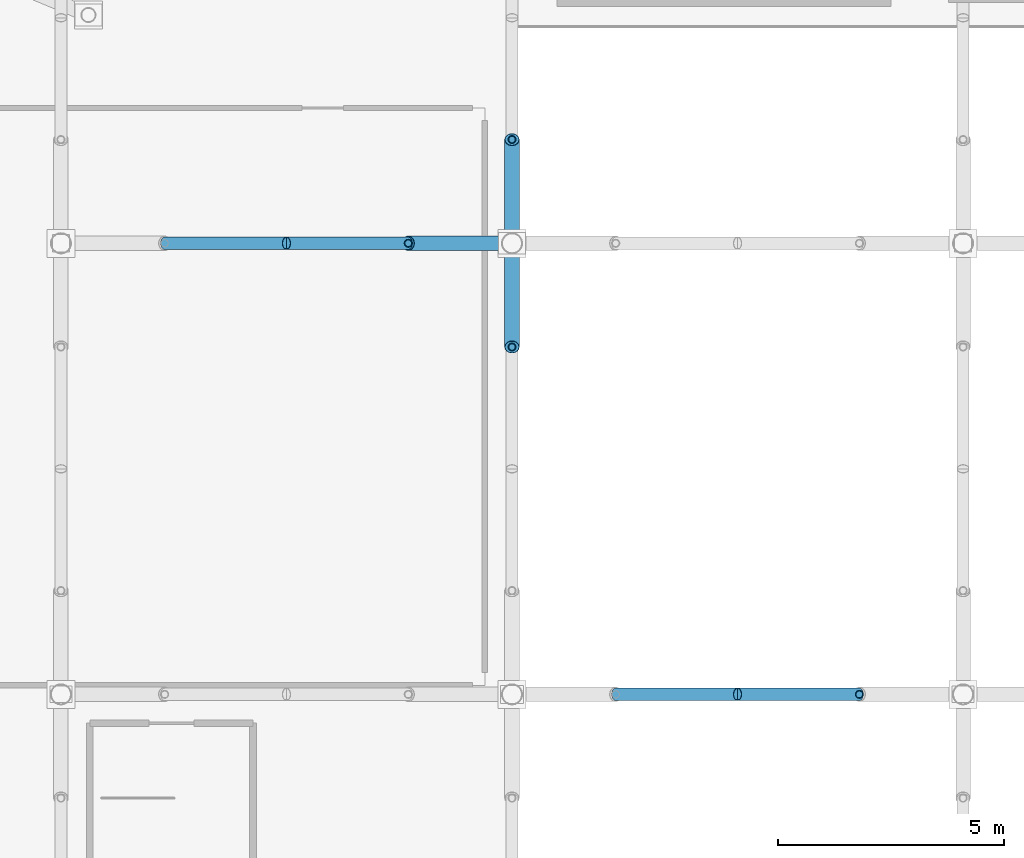
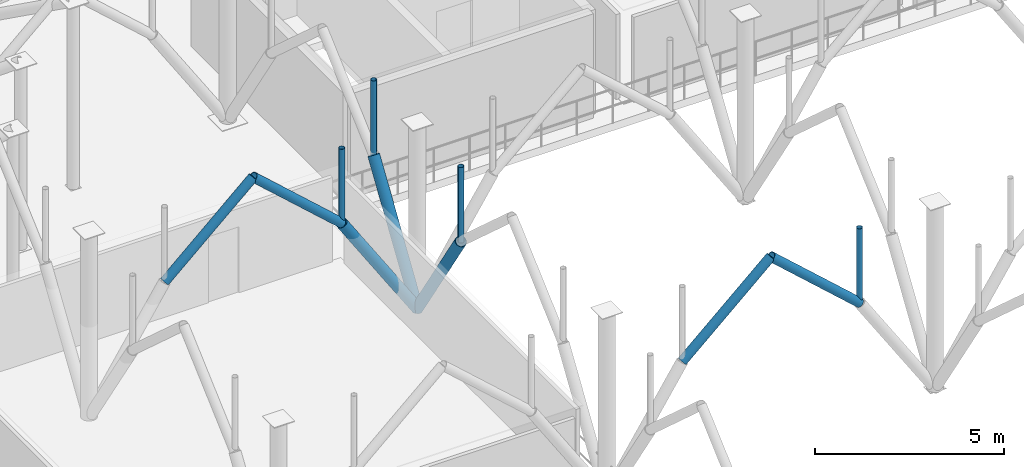
# One storey, part 47 of 109: 11 members.
"""IFC4 building model written with IfcOpenShell, lengths in metres."""

from ifc_helpers import new_model, si_unit, derived_unit, direction, frame, origin, origin_2d_with_axis, place, context, subcontext, project, spatial, hollow_circle, extrude, material, material_profile, profile_set, type_object, element, save


model = new_model("IFC4")

# Units and contexts
model_context = context("Model", 3, precision=1e-05, world=origin(), true_north=direction((0.0, 1.0)))
body_context = subcontext(model_context, "Body", "Model", "MODEL_VIEW")
ifc_project = project(units=[si_unit("LENGTHUNIT", "METRE"), si_unit("AREAUNIT", "SQUARE_METRE"), si_unit("VOLUMEUNIT", "CUBIC_METRE"), si_unit("PLANEANGLEUNIT", "RADIAN"), si_unit("MASSUNIT", "GRAM", prefix="KILO"), derived_unit("THERMALTRANSMITTANCEUNIT", [(si_unit("POWERUNIT", "WATT"), 1), (si_unit("LENGTHUNIT", "METRE"), -2), (si_unit("THERMODYNAMICTEMPERATUREUNIT", "KELVIN"), -1)])], contexts=[model_context])

# Site, building, storey
site_placement = place(None, origin())
site = spatial("IfcSite", under=ifc_project, at=site_placement, CompositionType="ELEMENT")
building_placement = place(site_placement, origin())
building = spatial("IfcBuilding", under=site, at=building_placement, Name="Cinnabar Yard Market Hall", CompositionType="ELEMENT")
storey_placement = place(building_placement, frame((0.0, 0.0, 8.39990234375)))
storey = spatial("IfcBuildingStorey", under=building, at=storey_placement, Name="L02", CompositionType="ELEMENT", Elevation=8.39990234375)

# Members
ifc_material_1 = material(Name="Spotted-gum glulam-clad steel Grade 350 (350 MPa)", Category="steel")
ifc_material_profile_1 = material_profile(ifc_material_1, hollow_circle(Radius=0.136474609375, WallThickness=0.00927734375, at=origin_2d_with_axis()), Name="273.1x9.3CHS")
ifc_profile_set_1 = profile_set([ifc_material_profile_1], Name="Spotted-gum glulam-clad steel Grade 350 (350 MPa)")
member_type_1 = type_object("IfcMemberType", Name="MB-AR01", PredefinedType="USERDEFINED", material=ifc_profile_set_1)
for number, where, z_axis, x_axis, name in (
    (1, (78.300048828125, 54.0, 3.550048828125), (0.743297488271, 0.0, 0.668961018244), (0.0, 1.0, 0.0), "Pointed Arch Rib 0009"),
    (2, (88.300048828125, 44.0, 3.550048828125), (0.743297488271, 0.0, 0.668961018244), (0.0, 1.0, 0.0), "Pointed Arch Rib 0020"),
    (3, (83.699951171875, 54.0, 3.550048828125), (-0.743297488271, 0.0, 0.668961018244), (0.0, -1.0, 0.0), "Pointed Arch Rib 0025"),
    (4, (93.699951171875, 44.0, 3.550048828125), (-0.743297488271, 0.0, 0.668961018244), (0.0, -1.0, 0.0), "Pointed Arch Rib 0037"),
):
    element("IfcMember", number, at=place(storey_placement, frame(where, z_axis=z_axis, x_axis=x_axis)), inside=storey, type_object=member_type_1, Name=name, ObjectType="ARCH RIB", PredefinedType="USERDEFINED", context=body_context, shape_type="SweptSolid", body=[
        extrude(hollow_circle(Radius=0.136474609375, WallThickness=0.00927734375, at=origin_2d_with_axis()), origin(), (0.0, 0.0, 1.0), 3.63232421875),
    ])
ifc_material_profile_2 = material_profile(ifc_material_1, hollow_circle(Radius=0.161865234375, WallThickness=0.009521484375, at=origin_2d_with_axis()), Name="323.9x9.5CHS")
ifc_profile_set_2 = profile_set([ifc_material_profile_2], Name="Spotted-gum glulam-clad steel Grade 350 (350 MPa)")
member_type_2 = type_object("IfcMemberType", Name="MB-ST01", PredefinedType="STRUT", material=ifc_profile_set_2)
for number, where, z_axis, x_axis, name in (
    (5, (86.0, 54.0, 0.0), (-0.543744165176, 0.0, 0.839251024925), (0.0, -1.0, 0.0), "Curved Branch Arm Lower 0025"),
    (6, (86.0, 54.0, 0.0), (0.0, 0.543744165176, 0.839251024925), (-1.0, 0.0, 0.0), "Curved Branch Arm Lower 0026"),
    (7, (86.0, 54.0, 0.0), (0.0, -0.543744165176, 0.839251024925), (1.0, 0.0, 0.0), "Curved Branch Arm Lower 0027"),
):
    element("IfcMember", number, at=place(storey_placement, frame(where, z_axis=z_axis, x_axis=x_axis)), inside=storey, type_object=member_type_2, Name=name, PredefinedType="STRUT", context=body_context, shape_type="SweptSolid", body=[
        extrude(hollow_circle(Radius=0.161865234375, WallThickness=0.009521484375, at=origin_2d_with_axis()), origin(), (0.0, 0.0, 1.0), 4.22998046875),
    ])
ifc_material_2 = material(Name="Cold-formed steel C350L0", Category="steel")
ifc_material_profile_3 = material_profile(ifc_material_2, hollow_circle(Radius=0.084228515625, WallThickness=0.00634765625, at=origin_2d_with_axis()), Name="168.3x6.4CHS")
ifc_profile_set_3 = profile_set([ifc_material_profile_3], Name="Cold-formed steel C350L0")
member_type_3 = type_object("IfcMemberType", Name="MB-WB01", PredefinedType="STRUT", material=ifc_profile_set_3)
for number, where, z_axis, x_axis, name in (
    (8, (83.699951171875, 54.0, 3.550048828125), (0.0, 0.0, 1.0), (1.0, 0.0, 0.0), "Arch Spandrel Post 0025"),
    (9, (86.0, 56.300048828125, 3.550048828125), (0.0, 0.0, 1.0), (1.0, 0.0, 0.0), "Arch Spandrel Post 0026"),
    (10, (86.0, 51.699951171875, 3.550048828125), (0.0, 0.0, 1.0), (1.0, 0.0, 0.0), "Arch Spandrel Post 0027"),
    (11, (93.699951171875, 44.0, 3.550048828125), (0.0, 0.0, 1.0), (1.0, 0.0, 0.0), "Arch Spandrel Post 0037"),
):
    element("IfcMember", number, at=place(storey_placement, frame(where, z_axis=z_axis, x_axis=x_axis)), inside=storey, type_object=member_type_3, Name=name, PredefinedType="STRUT", context=body_context, shape_type="SweptSolid", body=[
        extrude(hollow_circle(Radius=0.084228515625, WallThickness=0.00634765625, at=origin_2d_with_axis()), origin(), (0.0, 0.0, 1.0), 2.429931640625),
    ])

save(model, "model.ifc")
